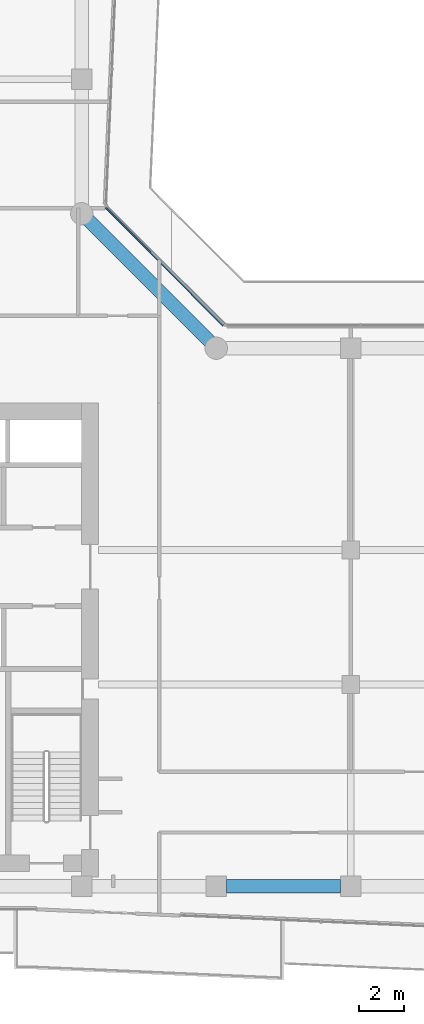
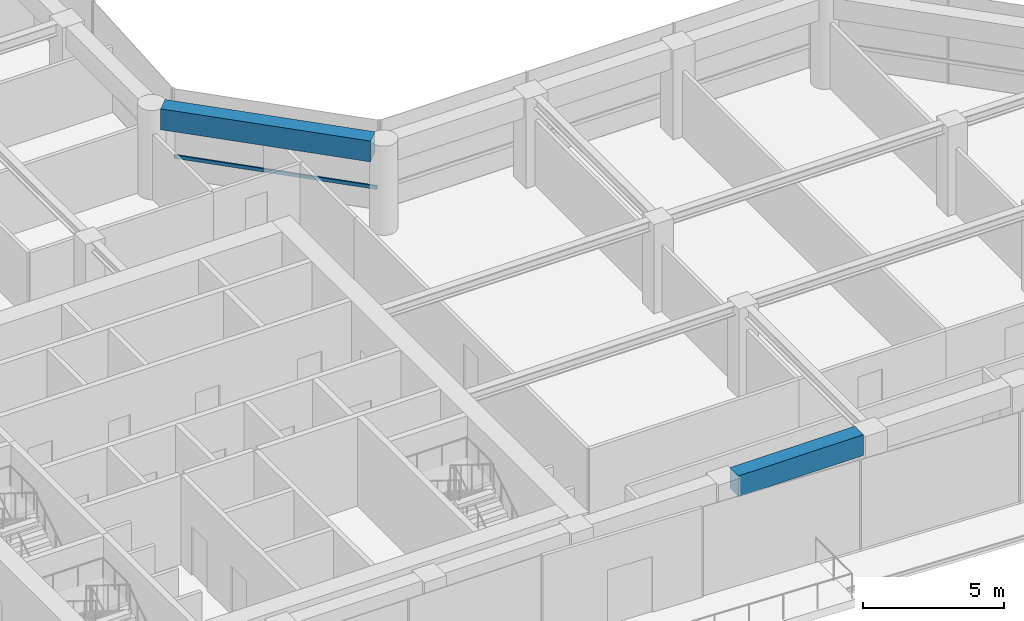
# One storey, part 5 of 25: 2 beams, 1 member, 1 element without a shape of its own.
"""IFC4 building model written with IfcOpenShell, lengths in metres."""

import ifcopenshell
import ifcopenshell.guid

model = None  # the IFC model being written
_history = None  # IfcOwnerHistory: only IFC2X3 demands one
_inside = {}  # id of a spatial element -> (the spatial element, [elements in it])
_under = {}  # id of a project, library or spatial element -> (it, [spatial elements below it])
_declared = {}  # id of a project -> (the project, [libraries it declares])
_typed = {}  # id of a type object -> (the type object, [elements of that type])
_made_of = {}  # id of a material, layer set ... -> (it, [elements and type objects made of it])


def new_model(schema):
    """Start an empty IFC model of exactly this schema.

    Asked for "IFC4X3", IfcOpenShell would pick the latest addendum, in which some entities
    have other attributes; the version numbers below select the first issue.
    IFC2X3 requires an IfcOwnerHistory on every rooted entity: one is made here for all.
    """
    global model, _history
    if schema == "IFC4X3":
        model = ifcopenshell.file(schema_version=(4, 3, 0, 0))
    else:
        model = ifcopenshell.file(schema=schema)
    _inside.clear()
    _under.clear()
    _declared.clear()
    _typed.clear()
    _made_of.clear()
    _history = None
    if model.schema == "IFC2X3":
        org = make("IfcOrganization", Name="unknown")
        user = make(
            "IfcPersonAndOrganization",
            ThePerson=make("IfcPerson", FamilyName="unknown"),
            TheOrganization=org,
        )
        app = make(
            "IfcApplication",
            ApplicationDeveloper=org,
            Version="unknown",
            ApplicationFullName="unknown",
            ApplicationIdentifier="unknown",
        )
        _history = make(
            "IfcOwnerHistory",
            OwningUser=user,
            OwningApplication=app,
            ChangeAction="ADDED",
            CreationDate=0,
        )
    return model


def make(cls, **values):
    """One entity of the class cls with the attributes given. An attribute that is None is left unset."""
    return model.create_entity(
        cls, **{name: value for name, value in values.items() if value is not None}
    )


def rooted(cls, **values):
    """An entity with a GlobalId (a new one), such as an element, a storey or a relation."""
    return make(cls, GlobalId=ifcopenshell.guid.new(), OwnerHistory=_history, **values)


def si_unit(unit_type, name, prefix=None):
    """IfcSIUnit, for example si_unit("LENGTHUNIT", "METRE", prefix="MILLI")."""
    return make("IfcSIUnit", UnitType=unit_type, Prefix=prefix, Name=name)


def assignment(units):
    """IfcUnitAssignment: the units of a project."""
    return None if units is None else make("IfcUnitAssignment", Units=units)


def point(xyz):
    """IfcCartesianPoint."""
    return None if xyz is None else make("IfcCartesianPoint", Coordinates=xyz)


def direction(xyz):
    """IfcDirection."""
    return None if xyz is None else make("IfcDirection", DirectionRatios=xyz)


def frame(location, z_axis=None, x_axis=None):
    """IfcAxis2Placement3D, a coordinate frame: its origin and axes. An axis left out is left unset."""
    return make(
        "IfcAxis2Placement3D",
        Location=point(location),
        Axis=direction(z_axis),
        RefDirection=direction(x_axis),
    )


def frame_2d(location, x_axis=None):
    """IfcAxis2Placement2D, a coordinate frame in the plane: its origin and x axis."""
    return make(
        "IfcAxis2Placement2D", Location=point(location), RefDirection=direction(x_axis)
    )


def origin():
    """The frame at (0, 0, 0) with its axes left unset."""
    return frame((0.0, 0.0, 0.0))


def origin_2d():
    """The frame at (0, 0) in the plane with its x axis left unset."""
    return frame_2d((0.0, 0.0))


def place(relative_to, where):
    """IfcLocalPlacement: puts the frame where relative to a parent placement (None: the world)."""
    return make(
        "IfcLocalPlacement", PlacementRelTo=relative_to, RelativePlacement=where
    )


def context(
    kind, dimensions, precision=None, world=None, true_north=None, identifier=None
):
    """IfcGeometricRepresentationContext, for example the 3D "Model" context."""
    return make(
        "IfcGeometricRepresentationContext",
        ContextIdentifier=identifier,
        ContextType=kind,
        CoordinateSpaceDimension=dimensions,
        Precision=precision,
        WorldCoordinateSystem=world,
        TrueNorth=true_north,
    )


def subcontext(parent, identifier, kind, view, scale=None):
    """IfcGeometricRepresentationSubContext, for example "Body" below "Model"."""
    return make(
        "IfcGeometricRepresentationSubContext",
        ContextIdentifier=identifier,
        ContextType=kind,
        ParentContext=parent,
        TargetScale=scale,
        TargetView=view,
    )


def project(units=None, contexts=None):
    """IfcProject with its units and contexts."""
    return rooted(
        "IfcProject",
        Name="project",
        RepresentationContexts=contexts,
        UnitsInContext=assignment(units),
    )


def spatial(cls, under=None, at=None, **own):
    """A site, building, storey or space (cls), placed at a placement, below another one or the project."""
    s = rooted(cls, ObjectPlacement=at, **own)
    if under is not None:
        _under.setdefault(under.id(), (under, []))[1].append(s)
    return s


def profile(cls, at=None, kind="AREA", **sizes):
    """A parametric profile (cls). Its sizes go by their IFC names, for example OverallWidth=200.0."""
    return make(cls, ProfileType=kind, Position=at, **sizes)


def rectangle(**sizes):
    """IfcRectangleProfileDef."""
    return profile("IfcRectangleProfileDef", **sizes)


def extrude(swept, where, along, depth):
    """IfcExtrudedAreaSolid: the profile swept, set in the frame where, extruded along a direction by depth."""
    return make(
        "IfcExtrudedAreaSolid",
        SweptArea=swept,
        Position=where,
        ExtrudedDirection=direction(along),
        Depth=depth,
    )


def shape(context_of_items, identifier, shape_type, items):
    """IfcShapeRepresentation: the items that make up one representation, for example the "Body"."""
    return make(
        "IfcShapeRepresentation",
        ContextOfItems=context_of_items,
        RepresentationIdentifier=identifier,
        RepresentationType=shape_type,
        Items=items,
    )


def material(Name=None, Category=None):
    """IfcMaterial."""
    return make("IfcMaterial", Name=Name, Category=Category)


def layer(
    of_material, thickness, ventilated=None, Name=None, Category=None, Priority=None
):
    """IfcMaterialLayer: one layer of a wall or slab, of a material (None: an air gap)."""
    return make(
        "IfcMaterialLayer",
        Material=of_material,
        LayerThickness=thickness,
        IsVentilated=ventilated,
        Name=Name,
        Category=Category,
        Priority=Priority,
    )


def layer_set(layers, Name=None):
    """IfcMaterialLayerSet."""
    return make("IfcMaterialLayerSet", MaterialLayers=layers, LayerSetName=Name)


def material_profile(
    of_material, cross_section, Name=None, Category=None, Priority=None
):
    """IfcMaterialProfile: a cross section and its material."""
    return make(
        "IfcMaterialProfile",
        Name=Name,
        Material=of_material,
        Profile=cross_section,
        Priority=Priority,
        Category=Category,
    )


def profile_set(profiles, Name=None, composite=None):
    """IfcMaterialProfileSet."""
    return make(
        "IfcMaterialProfileSet",
        Name=Name,
        MaterialProfiles=profiles,
        CompositeProfile=composite,
    )


def made_of(thing, what):
    """Note that an element or type object is made of a material, layer set ...; save() writes the relation."""
    if what is not None:
        _made_of.setdefault(what.id(), (what, []))[1].append(thing)
    return thing


def type_object(cls, material=None, **own):
    """A type object (cls), such as IfcWallType, which elements share."""
    return made_of(rooted(cls, **own), material)


def element(
    cls,
    number,
    at=None,
    inside=None,
    cuts=None,
    type_object=None,
    material=None,
    context=None,
    identifier="Body",
    shape_type=None,
    held_by="IfcProductDefinitionShape",
    body=None,
    shapes=None,
    **own,
):
    """One element of the class cls, such as IfcWall. Its Tag is "e" and its number.

    at: its placement. inside: the storey or other place that contains it. cuts: it is an
    opening in that element (IfcRelVoidsElement). A single representation is given by context,
    identifier, shape_type and body (its items); several are given by shapes. held_by: the class
    of the entity that holds the representations. save() writes the other relations.
    """
    e = rooted(cls, Tag="e%d" % number, ObjectPlacement=at, **own)
    if body is not None:
        shapes = [shape(context, identifier, shape_type, body)]
    if shapes is not None:
        e.Representation = make(held_by, Representations=shapes)
    if inside is not None:
        _inside.setdefault(inside.id(), (inside, []))[1].append(e)
    if cuts is not None:
        rooted(
            "IfcRelVoidsElement", RelatingBuildingElement=cuts, RelatedOpeningElement=e
        )
    if type_object is not None:
        _typed.setdefault(type_object.id(), (type_object, []))[1].append(e)
    return made_of(e, material)


def aggregate(whole, parts):
    """IfcRelAggregates: a whole, such as a stair, and the parts it consists of."""
    return rooted("IfcRelAggregates", RelatingObject=whole, RelatedObjects=parts)


def save(model, path):
    """Write the relations noted so far, then the file.

    IfcRelAggregates (storeys below a building ...), IfcRelContainedInSpatialStructure (elements
    in a storey), IfcRelDefinesByType, IfcRelAssociatesMaterial and IfcRelDeclares: one each for
    every whole, place, type object, material and project.
    """
    for whole, parts in _under.values():
        aggregate(whole, parts)
    for where, things in _inside.values():
        rooted(
            "IfcRelContainedInSpatialStructure",
            RelatedElements=things,
            RelatingStructure=where,
        )
    for kind, things in _typed.values():
        rooted("IfcRelDefinesByType", RelatedObjects=things, RelatingType=kind)
    for what, things in _made_of.values():
        rooted("IfcRelAssociatesMaterial", RelatedObjects=things, RelatingMaterial=what)
    for by, libraries in _declared.values():
        rooted("IfcRelDeclares", RelatingContext=by, RelatedDefinitions=libraries)
    model.write(path)


model = new_model("IFC4")

# Units and contexts
model_context = context("Model", 3, precision=1e-05, world=origin(), true_north=direction((0.0, 1.0)))
body_context = subcontext(model_context, "Body", "Model", "MODEL_VIEW")
ifc_project = project(units=[si_unit("LENGTHUNIT", "METRE"), si_unit("AREAUNIT", "SQUARE_METRE"), si_unit("VOLUMEUNIT", "CUBIC_METRE"), si_unit("PLANEANGLEUNIT", "RADIAN"), si_unit("MASSUNIT", "GRAM", prefix="KILO")], contexts=[model_context])

# Site, building, storey
site_placement = place(None, origin())
site = spatial("IfcSite", under=ifc_project, at=site_placement, CompositionType="ELEMENT")
building_placement = place(site_placement, origin())
building = spatial("IfcBuilding", under=site, at=building_placement, Name="Welwitschia Terrace Campus", CompositionType="ELEMENT")
storey_placement = place(building_placement, frame((0.0, 0.0, 121.39990234375)))
storey = spatial("IfcBuildingStorey", under=building, at=storey_placement, Name="L27", CompositionType="ELEMENT", Elevation=121.39990234375)

# Beams
ifc_material_1 = material(Name="Concrete C60/75", Category="concrete")
ifc_material_profile_1 = material_profile(ifc_material_1, rectangle(XDim=0.60009765625, YDim=0.89990234375, at=origin_2d()))
ifc_profile_set_1 = profile_set([ifc_material_profile_1], Name="Concrete C60/75")
beam_type = type_object("IfcBeamType", Name="Ring spandrel 600x900", PredefinedType="SPANDREL", material=ifc_profile_set_1)
beam_1_placement = place(storey_placement, frame((30.450439453125, 4.0, 3.400146484375), z_axis=(1.0, 0.0, 0.0), x_axis=(0.0, 1.0, 0.0)))
element("IfcBeam", 1, at=beam_1_placement, inside=storey, type_object=beam_type, Name="Spandrel SP2", PredefinedType="SPANDREL", context=body_context, shape_type="SweptSolid", body=[
    extrude(rectangle(XDim=0.60009765625, YDim=0.89990234375, at=origin_2d()), origin(), (0.0, 0.0, 1.0), 5.09912109375),
])
beam_2_placement = place(storey_placement, frame((29.716796875, 28.283203125, 3.400146484375), z_axis=(-0.707106781187, 0.707106781187, 0.0), x_axis=(-0.707106781187, -0.707106781187, 0.0)))
element("IfcBeam", 2, at=beam_2_placement, inside=storey, type_object=beam_type, Name="Spandrel SP2", PredefinedType="SPANDREL", context=body_context, shape_type="SweptSolid", body=[
    extrude(rectangle(XDim=0.60009765625, YDim=0.89990234375, at=origin_2d()), origin(), (0.0, 0.0, 1.0), 7.684326171875),
])

# Curtain wall, member
ifc_material_2 = material(Name="Bronze anodised aluminium", Category="aluminium")
ifc_layer = layer(ifc_material_2, 0.1201171875)
ifc_layer_set = layer_set([ifc_layer], Name="Bronze anodised aluminium")
curtain_wall_type = type_object("IfcCurtainWallType", Name="Curtain wall CW2 tower 6000", PredefinedType="NOTDEFINED", material=ifc_layer_set)
curtain_wall_placement = place(storey_placement, origin())
curtain_wall = element("IfcCurtainWall", 3, at=curtain_wall_placement, inside=storey, type_object=curtain_wall_type, Name="CW L27.9.0", PredefinedType="NOTDEFINED")
ifc_material_3 = material(Name="Bronze anodised aluminium", Category="aluminium")
ifc_material_profile_2 = material_profile(ifc_material_3, rectangle(XDim=0.06005859375, YDim=0.14990234375, at=origin_2d()))
ifc_profile_set_2 = profile_set([ifc_material_profile_2], Name="Bronze anodised aluminium")
member_type = type_object("IfcMemberType", Name="Transom 60x150", PredefinedType="USERDEFINED", material=ifc_profile_set_2)
member_placement = place(storey_placement, frame((30.320556640625, 29.0087890625, 1.0), z_axis=(-0.707106781187, 0.707106781187, 0.0), x_axis=(-0.707106781187, -0.707106781187, 0.0)))
member = element("IfcMember", 4, at=member_placement, type_object=member_type, Name="Transom L27.9.0", ObjectType="TRANSOM", PredefinedType="USERDEFINED", context=body_context, shape_type="SweptSolid", body=[
    extrude(rectangle(XDim=0.06005859375, YDim=0.14990234375, at=origin_2d()), origin(), (0.0, 0.0, 1.0), 7.435302734375),
])
aggregate(curtain_wall, [member])

save(model, "model.ifc")
